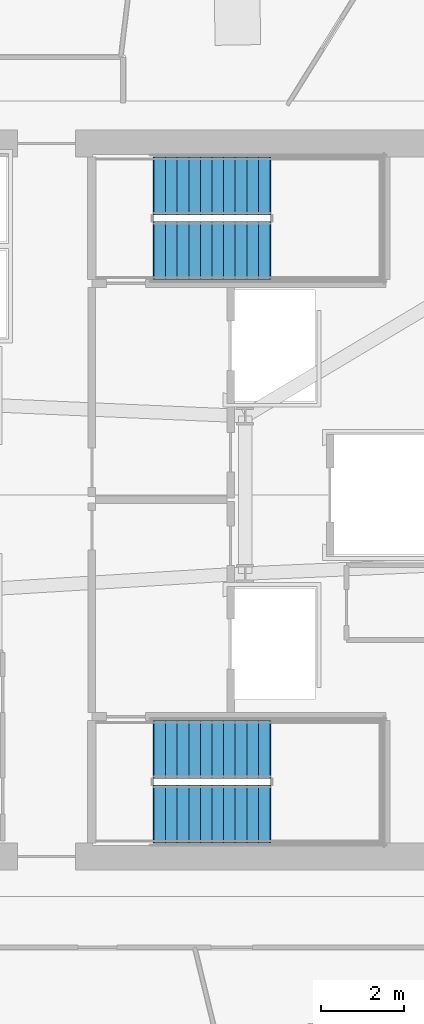
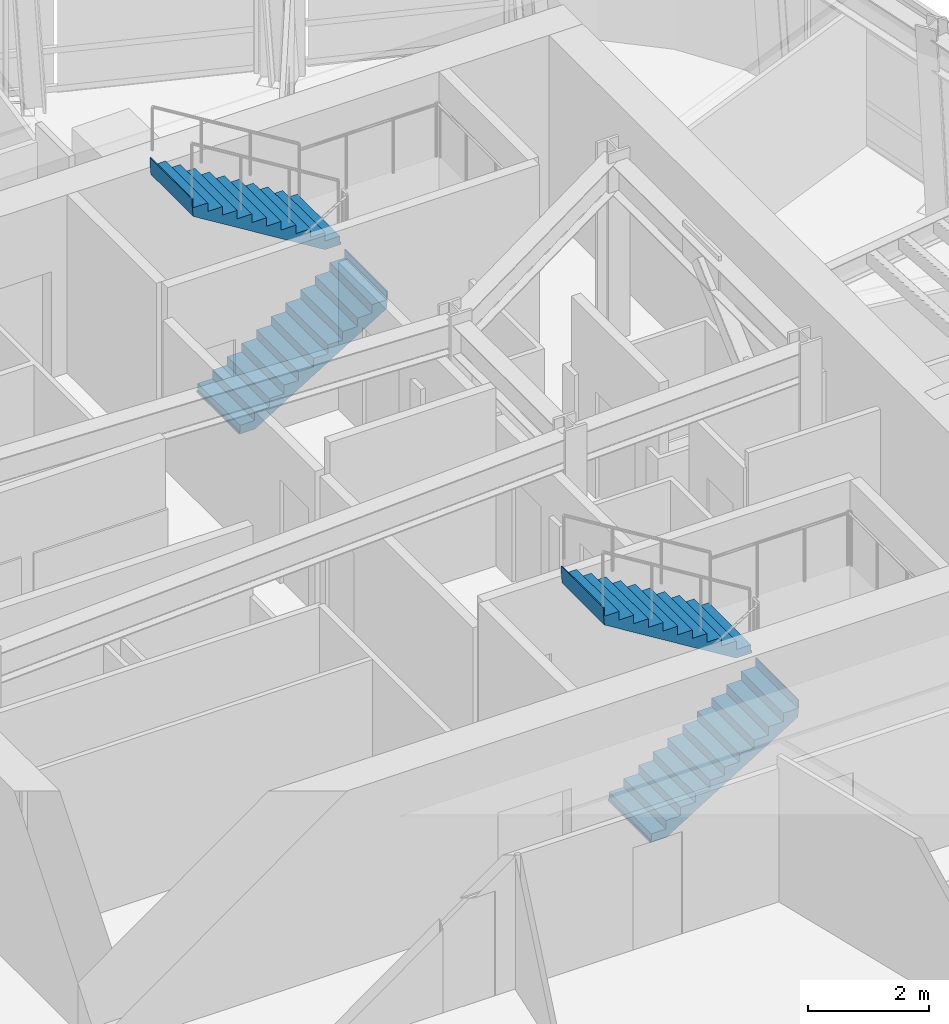
# One storey, part 9 of 14: 4 stair flights, 2 elements without a shape of their own.
"""IFC4 building model written with IfcOpenShell, lengths in metres."""

from ifc_helpers import new_model, si_unit, direction, frame, origin, place, context, subcontext, project, spatial, polyline, outline, extrude, material, type_object, element, aggregate, save


model = new_model("IFC4")

# Units and contexts
model_context = context("Model", 3, precision=1e-05, world=origin(), true_north=direction((0.0, 1.0)))
body_context = subcontext(model_context, "Body", "Model", "MODEL_VIEW")
ifc_project = project(units=[si_unit("LENGTHUNIT", "METRE"), si_unit("AREAUNIT", "SQUARE_METRE"), si_unit("VOLUMEUNIT", "CUBIC_METRE"), si_unit("PLANEANGLEUNIT", "RADIAN"), si_unit("MASSUNIT", "GRAM", prefix="KILO")], contexts=[model_context])

# Site, building, storey
site_placement = place(None, origin())
site = spatial("IfcSite", under=ifc_project, at=site_placement, CompositionType="ELEMENT")
building_placement = place(site_placement, origin())
building = spatial("IfcBuilding", under=site, at=building_placement, Name="Valkerne Bourse Tower", CompositionType="ELEMENT")
storey_placement = place(building_placement, frame((0.0, 0.0, 198.0)))
storey = spatial("IfcBuildingStorey", under=building, at=storey_placement, Name="L50", CompositionType="ELEMENT", Elevation=198.0)

# Stair, stair flights
ifc_material = material(Name="Concrete C40/50", Category="concrete")
stair_type = type_object("IfcStairType", Name="ST-CORE-1400", PredefinedType="HALF_TURN_STAIR", material=ifc_material)
stair_1_placement = place(storey_placement, origin())
stair_1 = element("IfcStair", 1, at=stair_1_placement, inside=storey, type_object=stair_type, Name="L50 ST-1", PredefinedType="HALF_TURN_STAIR")
stair_flight_type = type_object("IfcStairFlightType", Name="STF-CORE-1400", PredefinedType="STRAIGHT", material=ifc_material)
stair_flight_1_placement = place(storey_placement, frame((48.14990234375, 19.300048828125, 0.0), z_axis=(0.0, 0.0, 1.0), x_axis=(1.0, 0.0, 0.0)))
stair_flight_1 = element("IfcStairFlight", 2, at=stair_flight_1_placement, type_object=stair_flight_type, Name="ST-1 flight 1", NumberOfRisers=11, NumberOfTreads=10, PredefinedType="STRAIGHT", RiserHeight=0.172727273, TreadLength=0.28, context=body_context, shape_type="SweptSolid", body=[
    extrude(outline(polyline([(-0.02001953125, 0.0), (-0.02001953125, 0.044921875), (0.0, 0.044921875), (0.0, 0.172607421875), (0.280029296875, 0.172607421875), (0.280029296875, 0.345458984375), (0.56005859375, 0.345458984375), (0.56005859375, 0.51806640625), (0.840087890625, 0.51806640625), (0.840087890625, 0.69091796875), (1.1201171875, 0.69091796875), (1.1201171875, 0.863525390625), (1.39990234375, 0.863525390625), (1.39990234375, 1.036376953125), (1.679931640625, 1.036376953125), (1.679931640625, 1.208984375), (1.9599609375, 1.208984375), (1.9599609375, 1.3818359375), (2.239990234375, 1.3818359375), (2.239990234375, 1.554443359375), (2.52001953125, 1.554443359375), (2.52001953125, 1.727294921875), (2.800048828125, 1.727294921875), (2.800048828125, 1.89990234375), (2.820068359375, 1.89990234375), (2.820068359375, 1.780029296875), (2.800048828125, 1.551025390625), (0.285400390625, 0.0), (-0.02001953125, 0.0)])), frame((0.0, 0.699951171875, 0.0), z_axis=(0.0, -1.0, 0.0), x_axis=(1.0, 0.0, 0.0)), (0.0, 0.0, 1.0), 1.39990234375),
])
stair_flight_2_placement = place(storey_placement, frame((50.949951171875, 20.85009765625, 1.89990234375), z_axis=(0.0, 0.0, 1.0), x_axis=(-1.0, 0.0, 0.0)))
stair_flight_2 = element("IfcStairFlight", 3, at=stair_flight_2_placement, type_object=stair_flight_type, Name="ST-1 flight 2", NumberOfRisers=11, NumberOfTreads=10, PredefinedType="STRAIGHT", RiserHeight=0.172727273, TreadLength=0.28, context=body_context, shape_type="SweptSolid", body=[
    extrude(outline(polyline([(-0.02001953125, 0.0), (-0.02001953125, 0.044921875), (0.0, 0.044921875), (0.0, 0.172607421875), (0.280029296875, 0.172607421875), (0.280029296875, 0.345458984375), (0.56005859375, 0.345458984375), (0.56005859375, 0.51806640625), (0.840087890625, 0.51806640625), (0.840087890625, 0.69091796875), (1.1201171875, 0.69091796875), (1.1201171875, 0.863525390625), (1.39990234375, 0.863525390625), (1.39990234375, 1.036376953125), (1.679931640625, 1.036376953125), (1.679931640625, 1.208984375), (1.9599609375, 1.208984375), (1.9599609375, 1.3818359375), (2.239990234375, 1.3818359375), (2.239990234375, 1.554443359375), (2.52001953125, 1.554443359375), (2.52001953125, 1.727294921875), (2.800048828125, 1.727294921875), (2.800048828125, 1.89990234375), (2.820068359375, 1.89990234375), (2.820068359375, 1.780029296875), (2.800048828125, 1.551025390625), (0.285400390625, 0.0), (-0.02001953125, 0.0)])), frame((0.0, 0.699951171875, 0.0), z_axis=(0.0, -1.0, 0.0), x_axis=(1.0, 0.0, 0.0)), (0.0, 0.0, 1.0), 1.39990234375),
])
aggregate(stair_1, [stair_flight_1, stair_flight_2])

stair_2_placement = place(storey_placement, origin())
stair_2 = element("IfcStair", 4, at=stair_2_placement, inside=storey, type_object=stair_type, Name="L50 ST-2", PredefinedType="HALF_TURN_STAIR")
stair_flight_3_placement = place(storey_placement, frame((48.14990234375, 32.89990234375, 0.0), z_axis=(0.0, 0.0, 1.0), x_axis=(1.0, 0.0, 0.0)))
stair_flight_3 = element("IfcStairFlight", 5, at=stair_flight_3_placement, type_object=stair_flight_type, Name="ST-2 flight 1", NumberOfRisers=11, NumberOfTreads=10, PredefinedType="STRAIGHT", RiserHeight=0.172727273, TreadLength=0.28, context=body_context, shape_type="SweptSolid", body=[
    extrude(outline(polyline([(-0.02001953125, 0.0), (-0.02001953125, 0.044921875), (0.0, 0.044921875), (0.0, 0.172607421875), (0.280029296875, 0.172607421875), (0.280029296875, 0.345458984375), (0.56005859375, 0.345458984375), (0.56005859375, 0.51806640625), (0.840087890625, 0.51806640625), (0.840087890625, 0.69091796875), (1.1201171875, 0.69091796875), (1.1201171875, 0.863525390625), (1.39990234375, 0.863525390625), (1.39990234375, 1.036376953125), (1.679931640625, 1.036376953125), (1.679931640625, 1.208984375), (1.9599609375, 1.208984375), (1.9599609375, 1.3818359375), (2.239990234375, 1.3818359375), (2.239990234375, 1.554443359375), (2.52001953125, 1.554443359375), (2.52001953125, 1.727294921875), (2.800048828125, 1.727294921875), (2.800048828125, 1.89990234375), (2.820068359375, 1.89990234375), (2.820068359375, 1.780029296875), (2.800048828125, 1.551025390625), (0.285400390625, 0.0), (-0.02001953125, 0.0)])), frame((0.0, 0.699951171875, 0.0), z_axis=(0.0, -1.0, 0.0), x_axis=(1.0, 0.0, 0.0)), (0.0, 0.0, 1.0), 1.39990234375),
])
stair_flight_4_placement = place(storey_placement, frame((50.949951171875, 34.449951171875, 1.89990234375), z_axis=(0.0, 0.0, 1.0), x_axis=(-1.0, 0.0, 0.0)))
stair_flight_4 = element("IfcStairFlight", 6, at=stair_flight_4_placement, type_object=stair_flight_type, Name="ST-2 flight 2", NumberOfRisers=11, NumberOfTreads=10, PredefinedType="STRAIGHT", RiserHeight=0.172727273, TreadLength=0.28, context=body_context, shape_type="SweptSolid", body=[
    extrude(outline(polyline([(-0.02001953125, 0.0), (-0.02001953125, 0.044921875), (0.0, 0.044921875), (0.0, 0.172607421875), (0.280029296875, 0.172607421875), (0.280029296875, 0.345458984375), (0.56005859375, 0.345458984375), (0.56005859375, 0.51806640625), (0.840087890625, 0.51806640625), (0.840087890625, 0.69091796875), (1.1201171875, 0.69091796875), (1.1201171875, 0.863525390625), (1.39990234375, 0.863525390625), (1.39990234375, 1.036376953125), (1.679931640625, 1.036376953125), (1.679931640625, 1.208984375), (1.9599609375, 1.208984375), (1.9599609375, 1.3818359375), (2.239990234375, 1.3818359375), (2.239990234375, 1.554443359375), (2.52001953125, 1.554443359375), (2.52001953125, 1.727294921875), (2.800048828125, 1.727294921875), (2.800048828125, 1.89990234375), (2.820068359375, 1.89990234375), (2.820068359375, 1.780029296875), (2.800048828125, 1.551025390625), (0.285400390625, 0.0), (-0.02001953125, 0.0)])), frame((0.0, 0.699951171875, 0.0), z_axis=(0.0, -1.0, 0.0), x_axis=(1.0, 0.0, 0.0)), (0.0, 0.0, 1.0), 1.39990234375),
])
aggregate(stair_2, [stair_flight_3, stair_flight_4])

save(model, "model.ifc")
